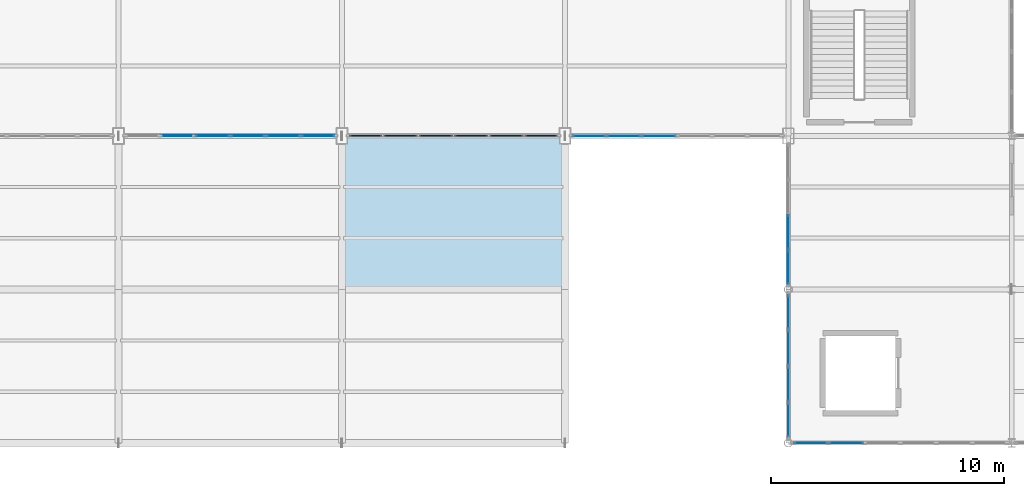
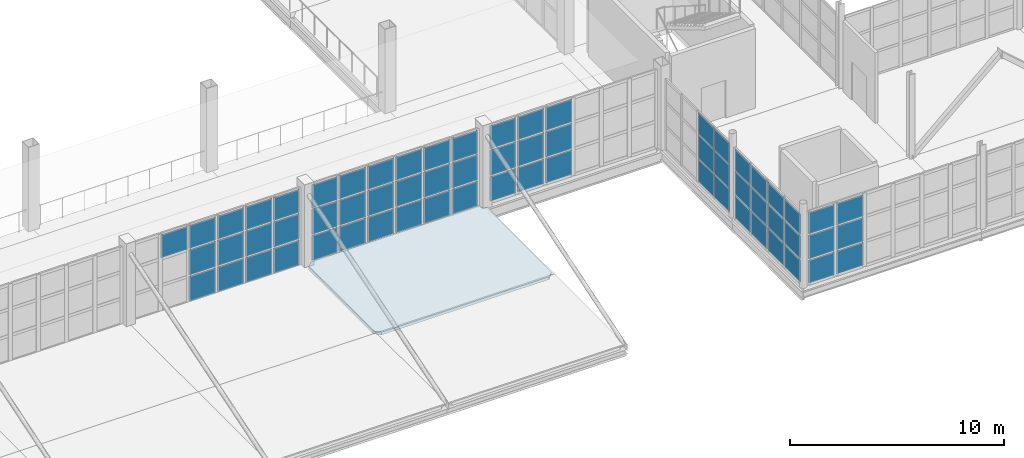
# One storey, part 78 of 120: 64 plates, 1 slab, 6 elements without a shape of their own.
"""IFC4 building model written with IfcOpenShell, lengths in metres."""

from ifc_helpers import new_model, si_unit, direction, frame, origin, origin_2d, place, context, subcontext, project, spatial, polyline, rectangle, outline, extrude, material, layer, layer_set, type_object, element, aggregate, save


model = new_model("IFC4")

# Units and contexts
model_context = context("Model", 3, precision=1e-05, world=origin(), true_north=direction((0.0, 1.0)))
body_context = subcontext(model_context, "Body", "Model", "MODEL_VIEW")
ifc_project = project(units=[si_unit("LENGTHUNIT", "METRE"), si_unit("AREAUNIT", "SQUARE_METRE"), si_unit("VOLUMEUNIT", "CUBIC_METRE"), si_unit("PLANEANGLEUNIT", "RADIAN"), si_unit("MASSUNIT", "GRAM", prefix="KILO")], contexts=[model_context])

# Site, building, storey
site_placement = place(None, origin())
site = spatial("IfcSite", under=ifc_project, at=site_placement, CompositionType="ELEMENT")
building_placement = place(site_placement, origin())
building = spatial("IfcBuilding", under=site, at=building_placement, Name="Zarnetskaya Central Station", CompositionType="ELEMENT")
storey_placement = place(building_placement, frame((0.0, 0.0, 5.39990234375)))
storey = spatial("IfcBuildingStorey", under=building, at=storey_placement, Name="L01", CompositionType="ELEMENT", Elevation=5.39990234375)

# Curtain wall, plates
ifc_material_1 = material(Name="Low-E insulated glass", Category="glass")
ifc_layer_1 = layer(ifc_material_1, 0.159912109375, Name="Low-E insulated glass", Category="glass")
ifc_layer_set_1 = layer_set([ifc_layer_1], Name="Low-E insulated glass")
curtain_wall_type_1 = type_object("IfcCurtainWallType", Name="CW-SYS-06", PredefinedType="USERDEFINED", material=ifc_layer_set_1)
curtain_wall_1_placement = place(storey_placement, origin())
curtain_wall_1 = element("IfcCurtainWall", 1, at=curtain_wall_1_placement, inside=storey, type_object=curtain_wall_type_1, Name="Curtain wall CW-L01-110", ObjectType="CURTAIN WALL", PredefinedType="USERDEFINED")
ifc_layer_2 = layer(ifc_material_1, 0.028076171875, Name="Low-E insulated glass", Category="glass")
ifc_layer_set_2 = layer_set([ifc_layer_2], Name="Low-E insulated glass")
plate_type_1 = type_object("IfcPlateType", Name="CW-PAN-28", PredefinedType="CURTAIN_PANEL", material=ifc_layer_set_2)
plate_1_placement = place(storey_placement, frame((124.800048828125, 0.978271484375, 0.080078125), z_axis=(0.0, 0.0, 1.0), x_axis=(0.0, 1.0, 0.0)))
plate_1 = element("IfcPlate", 2, at=plate_1_placement, type_object=plate_type_1, Name="CW-02 panel 1.1", PredefinedType="CURTAIN_PANEL", context=body_context, shape_type="SweptSolid", body=[
    extrude(rectangle(XDim=1.441162109375, YDim=0.028076171875, at=origin_2d()), origin(), (0.0, 0.0, 1.0), 1.25390625),
])
plate_2_placement = place(storey_placement, frame((124.800048828125, 0.978271484375, 1.4140625), z_axis=(0.0, 0.0, 1.0), x_axis=(0.0, 1.0, 0.0)))
plate_2 = element("IfcPlate", 3, at=plate_2_placement, type_object=plate_type_1, Name="CW-02 panel 1.2", PredefinedType="CURTAIN_PANEL", context=body_context, shape_type="SweptSolid", body=[
    extrude(rectangle(XDim=1.441162109375, YDim=0.028076171875, at=origin_2d()), origin(), (0.0, 0.0, 1.0), 1.29296875),
])
plate_3_placement = place(storey_placement, frame((124.800048828125, 0.978271484375, 2.787109375), z_axis=(0.0, 0.0, 1.0), x_axis=(0.0, 1.0, 0.0)))
plate_3 = element("IfcPlate", 4, at=plate_3_placement, type_object=plate_type_1, Name="CW-02 panel 1.3", PredefinedType="CURTAIN_PANEL", context=body_context, shape_type="SweptSolid", body=[
    extrude(rectangle(XDim=1.441162109375, YDim=0.028076171875, at=origin_2d()), origin(), (0.0, 0.0, 1.0), 1.173095703125),
])
plate_4_placement = place(storey_placement, frame((124.800048828125, 2.51953125, 0.080078125), z_axis=(0.0, 0.0, 1.0), x_axis=(0.0, 1.0, 0.0)))
plate_4 = element("IfcPlate", 5, at=plate_4_placement, type_object=plate_type_1, Name="CW-02 panel 2.1", PredefinedType="CURTAIN_PANEL", context=body_context, shape_type="SweptSolid", body=[
    extrude(rectangle(XDim=1.481201171875, YDim=0.028076171875, at=origin_2d()), origin(), (0.0, 0.0, 1.0), 1.25390625),
])
plate_5_placement = place(storey_placement, frame((124.800048828125, 2.51953125, 1.4140625), z_axis=(0.0, 0.0, 1.0), x_axis=(0.0, 1.0, 0.0)))
plate_5 = element("IfcPlate", 6, at=plate_5_placement, type_object=plate_type_1, Name="CW-02 panel 2.2", PredefinedType="CURTAIN_PANEL", context=body_context, shape_type="SweptSolid", body=[
    extrude(rectangle(XDim=1.481201171875, YDim=0.028076171875, at=origin_2d()), origin(), (0.0, 0.0, 1.0), 1.29296875),
])
plate_6_placement = place(storey_placement, frame((124.800048828125, 2.51953125, 2.787109375), z_axis=(0.0, 0.0, 1.0), x_axis=(0.0, 1.0, 0.0)))
plate_6 = element("IfcPlate", 7, at=plate_6_placement, type_object=plate_type_1, Name="CW-02 panel 2.3", PredefinedType="CURTAIN_PANEL", context=body_context, shape_type="SweptSolid", body=[
    extrude(rectangle(XDim=1.481201171875, YDim=0.028076171875, at=origin_2d()), origin(), (0.0, 0.0, 1.0), 1.173095703125),
])
plate_7_placement = place(storey_placement, frame((124.800048828125, 4.08056640625, 0.080078125), z_axis=(0.0, 0.0, 1.0), x_axis=(0.0, 1.0, 0.0)))
plate_7 = element("IfcPlate", 8, at=plate_7_placement, type_object=plate_type_1, Name="CW-02 panel 3.1", PredefinedType="CURTAIN_PANEL", context=body_context, shape_type="SweptSolid", body=[
    extrude(rectangle(XDim=1.481201171875, YDim=0.028076171875, at=origin_2d()), origin(), (0.0, 0.0, 1.0), 1.25390625),
])
plate_8_placement = place(storey_placement, frame((124.800048828125, 4.08056640625, 1.4140625), z_axis=(0.0, 0.0, 1.0), x_axis=(0.0, 1.0, 0.0)))
plate_8 = element("IfcPlate", 9, at=plate_8_placement, type_object=plate_type_1, Name="CW-02 panel 3.2", PredefinedType="CURTAIN_PANEL", context=body_context, shape_type="SweptSolid", body=[
    extrude(rectangle(XDim=1.481201171875, YDim=0.028076171875, at=origin_2d()), origin(), (0.0, 0.0, 1.0), 1.29296875),
])
plate_9_placement = place(storey_placement, frame((124.800048828125, 4.08056640625, 2.787109375), z_axis=(0.0, 0.0, 1.0), x_axis=(0.0, 1.0, 0.0)))
plate_9 = element("IfcPlate", 10, at=plate_9_placement, type_object=plate_type_1, Name="CW-02 panel 3.3", PredefinedType="CURTAIN_PANEL", context=body_context, shape_type="SweptSolid", body=[
    extrude(rectangle(XDim=1.481201171875, YDim=0.028076171875, at=origin_2d()), origin(), (0.0, 0.0, 1.0), 1.173095703125),
])
plate_10_placement = place(storey_placement, frame((124.800048828125, 5.62158203125, 0.080078125), z_axis=(0.0, 0.0, 1.0), x_axis=(0.0, 1.0, 0.0)))
plate_10 = element("IfcPlate", 11, at=plate_10_placement, type_object=plate_type_1, Name="CW-02 panel 4.1", PredefinedType="CURTAIN_PANEL", context=body_context, shape_type="SweptSolid", body=[
    extrude(rectangle(XDim=1.441162109375, YDim=0.028076171875, at=origin_2d()), origin(), (0.0, 0.0, 1.0), 1.25390625),
])
plate_11_placement = place(storey_placement, frame((124.800048828125, 5.62158203125, 1.4140625), z_axis=(0.0, 0.0, 1.0), x_axis=(0.0, 1.0, 0.0)))
plate_11 = element("IfcPlate", 12, at=plate_11_placement, type_object=plate_type_1, Name="CW-02 panel 4.2", PredefinedType="CURTAIN_PANEL", context=body_context, shape_type="SweptSolid", body=[
    extrude(rectangle(XDim=1.441162109375, YDim=0.028076171875, at=origin_2d()), origin(), (0.0, 0.0, 1.0), 1.29296875),
])
plate_12_placement = place(storey_placement, frame((124.800048828125, 5.62158203125, 2.787109375), z_axis=(0.0, 0.0, 1.0), x_axis=(0.0, 1.0, 0.0)))
plate_12 = element("IfcPlate", 13, at=plate_12_placement, type_object=plate_type_1, Name="CW-02 panel 4.3", PredefinedType="CURTAIN_PANEL", context=body_context, shape_type="SweptSolid", body=[
    extrude(rectangle(XDim=1.441162109375, YDim=0.028076171875, at=origin_2d()), origin(), (0.0, 0.0, 1.0), 1.173095703125),
])
aggregate(curtain_wall_1, [plate_1, plate_2, plate_3, plate_4, plate_5, plate_6, plate_7, plate_8, plate_9, plate_10, plate_11, plate_12])

ifc_layer_3 = layer(ifc_material_1, 0.172119140625, Name="Low-E insulated glass", Category="glass")
ifc_layer_set_3 = layer_set([ifc_layer_3], Name="Low-E insulated glass")
curtain_wall_type_2 = type_object("IfcCurtainWallType", Name="CW-SYS-14", PredefinedType="USERDEFINED", material=ifc_layer_set_3)
curtain_wall_2_placement = place(storey_placement, origin())
curtain_wall_2 = element("IfcCurtainWall", 14, at=curtain_wall_2_placement, inside=storey, type_object=curtain_wall_type_2, Name="Curtain wall CW-L01-086", ObjectType="CURTAIN WALL", PredefinedType="USERDEFINED")
ifc_layer_4 = layer(ifc_material_1, 0.031982421875, Name="Low-E insulated glass", Category="glass")
ifc_layer_set_4 = layer_set([ifc_layer_4], Name="Low-E insulated glass")
plate_type_2 = type_object("IfcPlateType", Name="CW-PAN-32", PredefinedType="CURTAIN_PANEL", material=ifc_layer_set_4)
plate_13_placement = place(storey_placement, frame((119.24169921875, 13.199951171875, 0.080078125), z_axis=(0.0, 0.0, 1.0), x_axis=(-1.0, 0.0, 0.0)))
plate_13 = element("IfcPlate", 15, at=plate_13_placement, type_object=plate_type_2, Name="CW-17 panel 4.1", PredefinedType="CURTAIN_PANEL", context=body_context, shape_type="SweptSolid", body=[
    extrude(rectangle(XDim=1.436767578125, YDim=0.031982421875, at=origin_2d()), origin(), (0.0, 0.0, 1.0), 1.39306640625),
])
plate_14_placement = place(storey_placement, frame((119.24169921875, 13.199951171875, 1.552978515625), z_axis=(0.0, 0.0, 1.0), x_axis=(-1.0, 0.0, 0.0)))
plate_14 = element("IfcPlate", 16, at=plate_14_placement, type_object=plate_type_2, Name="CW-17 panel 4.2", PredefinedType="CURTAIN_PANEL", context=body_context, shape_type="SweptSolid", body=[
    extrude(rectangle(XDim=1.436767578125, YDim=0.031982421875, at=origin_2d()), origin(), (0.0, 0.0, 1.0), 1.43310546875),
])
plate_15_placement = place(storey_placement, frame((119.24169921875, 13.199951171875, 3.06591796875), z_axis=(0.0, 0.0, 1.0), x_axis=(-1.0, 0.0, 0.0)))
plate_15 = element("IfcPlate", 17, at=plate_15_placement, type_object=plate_type_2, Name="CW-17 panel 4.3", PredefinedType="CURTAIN_PANEL", context=body_context, shape_type="SweptSolid", body=[
    extrude(rectangle(XDim=1.436767578125, YDim=0.031982421875, at=origin_2d()), origin(), (0.0, 0.0, 1.0), 1.303955078125),
])
plate_16_placement = place(storey_placement, frame((117.72509765625, 13.199951171875, 0.080078125), z_axis=(0.0, 0.0, 1.0), x_axis=(-1.0, 0.0, 0.0)))
plate_16 = element("IfcPlate", 18, at=plate_16_placement, type_object=plate_type_2, Name="CW-17 panel 5.1", PredefinedType="CURTAIN_PANEL", context=body_context, shape_type="SweptSolid", body=[
    extrude(rectangle(XDim=1.436767578125, YDim=0.031982421875, at=origin_2d()), origin(), (0.0, 0.0, 1.0), 1.39306640625),
])
plate_17_placement = place(storey_placement, frame((117.72509765625, 13.199951171875, 1.552978515625), z_axis=(0.0, 0.0, 1.0), x_axis=(-1.0, 0.0, 0.0)))
plate_17 = element("IfcPlate", 19, at=plate_17_placement, type_object=plate_type_2, Name="CW-17 panel 5.2", PredefinedType="CURTAIN_PANEL", context=body_context, shape_type="SweptSolid", body=[
    extrude(rectangle(XDim=1.436767578125, YDim=0.031982421875, at=origin_2d()), origin(), (0.0, 0.0, 1.0), 1.43310546875),
])
plate_18_placement = place(storey_placement, frame((117.72509765625, 13.199951171875, 3.06591796875), z_axis=(0.0, 0.0, 1.0), x_axis=(-1.0, 0.0, 0.0)))
plate_18 = element("IfcPlate", 20, at=plate_18_placement, type_object=plate_type_2, Name="CW-17 panel 5.3", PredefinedType="CURTAIN_PANEL", context=body_context, shape_type="SweptSolid", body=[
    extrude(rectangle(XDim=1.436767578125, YDim=0.031982421875, at=origin_2d()), origin(), (0.0, 0.0, 1.0), 1.303955078125),
])
plate_19_placement = place(storey_placement, frame((116.228271484375, 13.199951171875, 0.080078125), z_axis=(0.0, 0.0, 1.0), x_axis=(-1.0, 0.0, 0.0)))
plate_19 = element("IfcPlate", 21, at=plate_19_placement, type_object=plate_type_2, Name="CW-17 panel 6.1", PredefinedType="CURTAIN_PANEL", context=body_context, shape_type="SweptSolid", body=[
    extrude(rectangle(XDim=1.396728515625, YDim=0.031982421875, at=origin_2d()), origin(), (0.0, 0.0, 1.0), 1.39306640625),
])
plate_20_placement = place(storey_placement, frame((116.228271484375, 13.199951171875, 1.552978515625), z_axis=(0.0, 0.0, 1.0), x_axis=(-1.0, 0.0, 0.0)))
plate_20 = element("IfcPlate", 22, at=plate_20_placement, type_object=plate_type_2, Name="CW-17 panel 6.2", PredefinedType="CURTAIN_PANEL", context=body_context, shape_type="SweptSolid", body=[
    extrude(rectangle(XDim=1.396728515625, YDim=0.031982421875, at=origin_2d()), origin(), (0.0, 0.0, 1.0), 1.43310546875),
])
plate_21_placement = place(storey_placement, frame((116.228271484375, 13.199951171875, 3.06591796875), z_axis=(0.0, 0.0, 1.0), x_axis=(-1.0, 0.0, 0.0)))
plate_21 = element("IfcPlate", 23, at=plate_21_placement, type_object=plate_type_2, Name="CW-17 panel 6.3", PredefinedType="CURTAIN_PANEL", context=body_context, shape_type="SweptSolid", body=[
    extrude(rectangle(XDim=1.396728515625, YDim=0.031982421875, at=origin_2d()), origin(), (0.0, 0.0, 1.0), 1.303955078125),
])
aggregate(curtain_wall_2, [plate_13, plate_14, plate_15, plate_16, plate_17, plate_18, plate_19, plate_20, plate_21])

curtain_wall_3_placement = place(storey_placement, origin())
curtain_wall_3 = element("IfcCurtainWall", 24, at=curtain_wall_3_placement, inside=storey, type_object=curtain_wall_type_1, Name="Curtain wall CW-L01-111", ObjectType="CURTAIN WALL", PredefinedType="USERDEFINED")
plate_22_placement = place(storey_placement, frame((124.800048828125, 7.554443359375, 0.070068359375), z_axis=(0.0, 0.0, 1.0), x_axis=(0.0, 1.0, 0.0)))
plate_22 = element("IfcPlate", 25, at=plate_22_placement, type_object=plate_type_2, Name="CW-02 panel 1.1", PredefinedType="CURTAIN_PANEL", context=body_context, shape_type="SweptSolid", body=[
    extrude(rectangle(XDim=1.4130859375, YDim=0.031982421875, at=origin_2d()), origin(), (0.0, 0.0, 1.0), 1.26904296875),
])
plate_23_placement = place(storey_placement, frame((124.800048828125, 7.554443359375, 1.4091796875), z_axis=(0.0, 0.0, 1.0), x_axis=(0.0, 1.0, 0.0)))
plate_23 = element("IfcPlate", 26, at=plate_23_placement, type_object=plate_type_2, Name="CW-02 panel 1.2", PredefinedType="CURTAIN_PANEL", context=body_context, shape_type="SweptSolid", body=[
    extrude(rectangle(XDim=1.4130859375, YDim=0.031982421875, at=origin_2d()), origin(), (0.0, 0.0, 1.0), 1.302978515625),
])
plate_24_placement = place(storey_placement, frame((124.800048828125, 7.554443359375, 2.781982421875), z_axis=(0.0, 0.0, 1.0), x_axis=(0.0, 1.0, 0.0)))
plate_24 = element("IfcPlate", 27, at=plate_24_placement, type_object=plate_type_2, Name="CW-02 panel 1.3", PredefinedType="CURTAIN_PANEL", context=body_context, shape_type="SweptSolid", body=[
    extrude(rectangle(XDim=1.4130859375, YDim=0.031982421875, at=origin_2d()), origin(), (0.0, 0.0, 1.0), 1.18798828125),
])
plate_25_placement = place(storey_placement, frame((124.800048828125, 9.054931640625, 0.070068359375), z_axis=(0.0, 0.0, 1.0), x_axis=(0.0, 1.0, 0.0)))
plate_25 = element("IfcPlate", 28, at=plate_25_placement, type_object=plate_type_2, Name="CW-02 panel 2.1", PredefinedType="CURTAIN_PANEL", context=body_context, shape_type="SweptSolid", body=[
    extrude(rectangle(XDim=1.447998046875, YDim=0.031982421875, at=origin_2d()), origin(), (0.0, 0.0, 1.0), 1.26904296875),
])
plate_26_placement = place(storey_placement, frame((124.800048828125, 9.054931640625, 1.4091796875), z_axis=(0.0, 0.0, 1.0), x_axis=(0.0, 1.0, 0.0)))
plate_26 = element("IfcPlate", 29, at=plate_26_placement, type_object=plate_type_2, Name="CW-02 panel 2.2", PredefinedType="CURTAIN_PANEL", context=body_context, shape_type="SweptSolid", body=[
    extrude(rectangle(XDim=1.447998046875, YDim=0.031982421875, at=origin_2d()), origin(), (0.0, 0.0, 1.0), 1.302978515625),
])
plate_27_placement = place(storey_placement, frame((124.800048828125, 9.054931640625, 2.781982421875), z_axis=(0.0, 0.0, 1.0), x_axis=(0.0, 1.0, 0.0)))
plate_27 = element("IfcPlate", 30, at=plate_27_placement, type_object=plate_type_2, Name="CW-02 panel 2.3", PredefinedType="CURTAIN_PANEL", context=body_context, shape_type="SweptSolid", body=[
    extrude(rectangle(XDim=1.447998046875, YDim=0.031982421875, at=origin_2d()), origin(), (0.0, 0.0, 1.0), 1.18798828125),
])
aggregate(curtain_wall_3, [plate_22, plate_23, plate_24, plate_25, plate_26, plate_27])

curtain_wall_4_placement = place(storey_placement, origin())
curtain_wall_4 = element("IfcCurtainWall", 31, at=curtain_wall_4_placement, inside=storey, type_object=curtain_wall_type_1, Name="Curtain wall CW-L01-126", ObjectType="CURTAIN WALL", PredefinedType="USERDEFINED")
plate_28_placement = place(storey_placement, frame((127.2958984375, 0.0, 0.080078125), z_axis=(0.0, 0.0, 1.0), x_axis=(-1.0, 0.0, 0.0)))
plate_28 = element("IfcPlate", 32, at=plate_28_placement, type_object=plate_type_2, Name="CW-02 panel 5.1", PredefinedType="CURTAIN_PANEL", context=body_context, shape_type="SweptSolid", body=[
    extrude(rectangle(XDim=1.46533203125, YDim=0.031982421875, at=origin_2d()), origin(), (0.0, 0.0, 1.0), 1.301025390625),
])
plate_29_placement = place(storey_placement, frame((127.2958984375, 0.0, 1.4609375), z_axis=(0.0, 0.0, 1.0), x_axis=(-1.0, 0.0, 0.0)))
plate_29 = element("IfcPlate", 33, at=plate_29_placement, type_object=plate_type_2, Name="CW-02 panel 5.2", PredefinedType="CURTAIN_PANEL", context=body_context, shape_type="SweptSolid", body=[
    extrude(rectangle(XDim=1.46533203125, YDim=0.031982421875, at=origin_2d()), origin(), (0.0, 0.0, 1.0), 1.341064453125),
])
plate_30_placement = place(storey_placement, frame((127.2958984375, 0.0, 2.88232421875), z_axis=(0.0, 0.0, 1.0), x_axis=(-1.0, 0.0, 0.0)))
plate_30 = element("IfcPlate", 34, at=plate_30_placement, type_object=plate_type_2, Name="CW-02 panel 5.3", PredefinedType="CURTAIN_PANEL", context=body_context, shape_type="SweptSolid", body=[
    extrude(rectangle(XDim=1.46533203125, YDim=0.031982421875, at=origin_2d()), origin(), (0.0, 0.0, 1.0), 1.218017578125),
])
plate_31_placement = place(storey_placement, frame((125.7705078125, 0.0, 0.080078125), z_axis=(0.0, 0.0, 1.0), x_axis=(-1.0, 0.0, 0.0)))
plate_31 = element("IfcPlate", 35, at=plate_31_placement, type_object=plate_type_2, Name="CW-02 panel 6.1", PredefinedType="CURTAIN_PANEL", context=body_context, shape_type="SweptSolid", body=[
    extrude(rectangle(XDim=1.42529296875, YDim=0.031982421875, at=origin_2d()), origin(), (0.0, 0.0, 1.0), 1.301025390625),
])
plate_32_placement = place(storey_placement, frame((125.7705078125, 0.0, 1.4609375), z_axis=(0.0, 0.0, 1.0), x_axis=(-1.0, 0.0, 0.0)))
plate_32 = element("IfcPlate", 36, at=plate_32_placement, type_object=plate_type_2, Name="CW-02 panel 6.2", PredefinedType="CURTAIN_PANEL", context=body_context, shape_type="SweptSolid", body=[
    extrude(rectangle(XDim=1.42529296875, YDim=0.031982421875, at=origin_2d()), origin(), (0.0, 0.0, 1.0), 1.341064453125),
])
plate_33_placement = place(storey_placement, frame((125.7705078125, 0.0, 2.88232421875), z_axis=(0.0, 0.0, 1.0), x_axis=(-1.0, 0.0, 0.0)))
plate_33 = element("IfcPlate", 37, at=plate_33_placement, type_object=plate_type_2, Name="CW-02 panel 6.3", PredefinedType="CURTAIN_PANEL", context=body_context, shape_type="SweptSolid", body=[
    extrude(rectangle(XDim=1.42529296875, YDim=0.031982421875, at=origin_2d()), origin(), (0.0, 0.0, 1.0), 1.218017578125),
])
aggregate(curtain_wall_4, [plate_28, plate_29, plate_30, plate_31, plate_32, plate_33])

ifc_layer_5 = layer(ifc_material_1, 0.1640625, Name="Low-E insulated glass", Category="glass")
ifc_layer_set_5 = layer_set([ifc_layer_5], Name="Low-E insulated glass")
curtain_wall_type_3 = type_object("IfcCurtainWallType", Name="CW-SYS-12", PredefinedType="USERDEFINED", material=ifc_layer_set_5)
curtain_wall_5_placement = place(storey_placement, origin())
curtain_wall_5 = element("IfcCurtainWall", 38, at=curtain_wall_5_placement, inside=storey, type_object=curtain_wall_type_3, Name="Curtain wall CW-L01-082", ObjectType="CURTAIN WALL", PredefinedType="USERDEFINED")
ifc_layer_6 = layer(ifc_material_1, 0.035888671875, Name="Low-E insulated glass", Category="glass")
ifc_layer_set_6 = layer_set([ifc_layer_6], Name="Low-E insulated glass")
plate_type_3 = type_object("IfcPlateType", Name="CW-PAN-36", PredefinedType="CURTAIN_PANEL", material=ifc_layer_set_6)
plate_34_placement = place(storey_placement, frame((104.57177734375, 13.199951171875, 0.080078125), z_axis=(0.0, 0.0, 1.0), x_axis=(-1.0, 0.0, 0.0)))
plate_34 = element("IfcPlate", 39, at=plate_34_placement, type_object=plate_type_3, Name="CW-18 panel 1.1", PredefinedType="CURTAIN_PANEL", context=body_context, shape_type="SweptSolid", body=[
    extrude(rectangle(XDim=1.396728515625, YDim=0.035888671875, at=origin_2d()), origin(), (0.0, 0.0, 1.0), 1.39306640625),
])
plate_35_placement = place(storey_placement, frame((104.57177734375, 13.199951171875, 1.552978515625), z_axis=(0.0, 0.0, 1.0), x_axis=(-1.0, 0.0, 0.0)))
plate_35 = element("IfcPlate", 40, at=plate_35_placement, type_object=plate_type_3, Name="CW-18 panel 1.2", PredefinedType="CURTAIN_PANEL", context=body_context, shape_type="SweptSolid", body=[
    extrude(rectangle(XDim=1.396728515625, YDim=0.035888671875, at=origin_2d()), origin(), (0.0, 0.0, 1.0), 1.43310546875),
])
plate_36_placement = place(storey_placement, frame((104.57177734375, 13.199951171875, 3.06591796875), z_axis=(0.0, 0.0, 1.0), x_axis=(-1.0, 0.0, 0.0)))
plate_36 = element("IfcPlate", 41, at=plate_36_placement, type_object=plate_type_3, Name="CW-18 panel 1.3", PredefinedType="CURTAIN_PANEL", context=body_context, shape_type="SweptSolid", body=[
    extrude(rectangle(XDim=1.396728515625, YDim=0.035888671875, at=origin_2d()), origin(), (0.0, 0.0, 1.0), 1.303955078125),
])
plate_37_placement = place(storey_placement, frame((103.074951171875, 13.199951171875, 0.080078125), z_axis=(0.0, 0.0, 1.0), x_axis=(-1.0, 0.0, 0.0)))
plate_37 = element("IfcPlate", 42, at=plate_37_placement, type_object=plate_type_3, Name="CW-18 panel 2.1", PredefinedType="CURTAIN_PANEL", context=body_context, shape_type="SweptSolid", body=[
    extrude(rectangle(XDim=1.436767578125, YDim=0.035888671875, at=origin_2d()), origin(), (0.0, 0.0, 1.0), 1.39306640625),
])
plate_38_placement = place(storey_placement, frame((103.074951171875, 13.199951171875, 1.552978515625), z_axis=(0.0, 0.0, 1.0), x_axis=(-1.0, 0.0, 0.0)))
plate_38 = element("IfcPlate", 43, at=plate_38_placement, type_object=plate_type_3, Name="CW-18 panel 2.2", PredefinedType="CURTAIN_PANEL", context=body_context, shape_type="SweptSolid", body=[
    extrude(rectangle(XDim=1.436767578125, YDim=0.035888671875, at=origin_2d()), origin(), (0.0, 0.0, 1.0), 1.43310546875),
])
plate_39_placement = place(storey_placement, frame((103.074951171875, 13.199951171875, 3.06591796875), z_axis=(0.0, 0.0, 1.0), x_axis=(-1.0, 0.0, 0.0)))
plate_39 = element("IfcPlate", 44, at=plate_39_placement, type_object=plate_type_3, Name="CW-18 panel 2.3", PredefinedType="CURTAIN_PANEL", context=body_context, shape_type="SweptSolid", body=[
    extrude(rectangle(XDim=1.436767578125, YDim=0.035888671875, at=origin_2d()), origin(), (0.0, 0.0, 1.0), 1.303955078125),
])
plate_40_placement = place(storey_placement, frame((101.558349609375, 13.199951171875, 0.080078125), z_axis=(0.0, 0.0, 1.0), x_axis=(-1.0, 0.0, 0.0)))
plate_40 = element("IfcPlate", 45, at=plate_40_placement, type_object=plate_type_3, Name="CW-18 panel 3.1", PredefinedType="CURTAIN_PANEL", context=body_context, shape_type="SweptSolid", body=[
    extrude(rectangle(XDim=1.436767578125, YDim=0.035888671875, at=origin_2d()), origin(), (0.0, 0.0, 1.0), 1.39306640625),
])
plate_41_placement = place(storey_placement, frame((101.558349609375, 13.199951171875, 1.552978515625), z_axis=(0.0, 0.0, 1.0), x_axis=(-1.0, 0.0, 0.0)))
plate_41 = element("IfcPlate", 46, at=plate_41_placement, type_object=plate_type_3, Name="CW-18 panel 3.2", PredefinedType="CURTAIN_PANEL", context=body_context, shape_type="SweptSolid", body=[
    extrude(rectangle(XDim=1.436767578125, YDim=0.035888671875, at=origin_2d()), origin(), (0.0, 0.0, 1.0), 1.43310546875),
])
plate_42_placement = place(storey_placement, frame((101.558349609375, 13.199951171875, 3.06591796875), z_axis=(0.0, 0.0, 1.0), x_axis=(-1.0, 0.0, 0.0)))
plate_42 = element("IfcPlate", 47, at=plate_42_placement, type_object=plate_type_3, Name="CW-18 panel 3.3", PredefinedType="CURTAIN_PANEL", context=body_context, shape_type="SweptSolid", body=[
    extrude(rectangle(XDim=1.436767578125, YDim=0.035888671875, at=origin_2d()), origin(), (0.0, 0.0, 1.0), 1.303955078125),
])
plate_43_placement = place(storey_placement, frame((100.041748046875, 13.199951171875, 0.080078125), z_axis=(0.0, 0.0, 1.0), x_axis=(-1.0, 0.0, 0.0)))
plate_43 = element("IfcPlate", 48, at=plate_43_placement, type_object=plate_type_3, Name="CW-18 panel 4.1", PredefinedType="CURTAIN_PANEL", context=body_context, shape_type="SweptSolid", body=[
    extrude(rectangle(XDim=1.436767578125, YDim=0.035888671875, at=origin_2d()), origin(), (0.0, 0.0, 1.0), 1.39306640625),
])
plate_44_placement = place(storey_placement, frame((100.041748046875, 13.199951171875, 1.552978515625), z_axis=(0.0, 0.0, 1.0), x_axis=(-1.0, 0.0, 0.0)))
plate_44 = element("IfcPlate", 49, at=plate_44_placement, type_object=plate_type_3, Name="CW-18 panel 4.2", PredefinedType="CURTAIN_PANEL", context=body_context, shape_type="SweptSolid", body=[
    extrude(rectangle(XDim=1.436767578125, YDim=0.035888671875, at=origin_2d()), origin(), (0.0, 0.0, 1.0), 1.43310546875),
])
plate_45_placement = place(storey_placement, frame((100.041748046875, 13.199951171875, 3.06591796875), z_axis=(0.0, 0.0, 1.0), x_axis=(-1.0, 0.0, 0.0)))
plate_45 = element("IfcPlate", 50, at=plate_45_placement, type_object=plate_type_3, Name="CW-18 panel 4.3", PredefinedType="CURTAIN_PANEL", context=body_context, shape_type="SweptSolid", body=[
    extrude(rectangle(XDim=1.436767578125, YDim=0.035888671875, at=origin_2d()), origin(), (0.0, 0.0, 1.0), 1.303955078125),
])
plate_46_placement = place(storey_placement, frame((98.52490234375, 13.199951171875, 3.06591796875), z_axis=(0.0, 0.0, 1.0), x_axis=(-1.0, 0.0, 0.0)))
plate_46 = element("IfcPlate", 51, at=plate_46_placement, type_object=plate_type_3, Name="CW-18 panel 5.3", PredefinedType="CURTAIN_PANEL", context=body_context, shape_type="SweptSolid", body=[
    extrude(rectangle(XDim=1.436767578125, YDim=0.035888671875, at=origin_2d()), origin(), (0.0, 0.0, 1.0), 1.303955078125),
])
aggregate(curtain_wall_5, [plate_34, plate_35, plate_36, plate_37, plate_38, plate_39, plate_40, plate_41, plate_42, plate_43, plate_44, plate_45, plate_46])

ifc_layer_7 = layer(ifc_material_1, 0.16796875, Name="Low-E insulated glass", Category="glass")
ifc_layer_set_7 = layer_set([ifc_layer_7], Name="Low-E insulated glass")
curtain_wall_type_4 = type_object("IfcCurtainWallType", Name="CW-SYS-13", PredefinedType="USERDEFINED", material=ifc_layer_set_7)
curtain_wall_6_placement = place(storey_placement, origin())
curtain_wall_6 = element("IfcCurtainWall", 52, at=curtain_wall_6_placement, inside=storey, type_object=curtain_wall_type_4, Name="Curtain wall CW-L01-084", ObjectType="CURTAIN WALL", PredefinedType="USERDEFINED")
ifc_layer_8 = layer(ifc_material_1, 0.0439453125, Name="Low-E insulated glass", Category="glass")
ifc_layer_set_8 = layer_set([ifc_layer_8], Name="Low-E insulated glass")
plate_type_4 = type_object("IfcPlateType", Name="CW-PAN-44", PredefinedType="CURTAIN_PANEL", material=ifc_layer_set_8)
plate_47_placement = place(storey_placement, frame((114.171630859375, 13.199951171875, 0.080078125), z_axis=(0.0, 0.0, 1.0), x_axis=(-1.0, 0.0, 0.0)))
plate_47 = element("IfcPlate", 53, at=plate_47_placement, type_object=plate_type_4, Name="CW-04 panel 1.1", PredefinedType="CURTAIN_PANEL", context=body_context, shape_type="SweptSolid", body=[
    extrude(rectangle(XDim=1.396728515625, YDim=0.0439453125, at=origin_2d()), origin(), (0.0, 0.0, 1.0), 1.39306640625),
])
plate_48_placement = place(storey_placement, frame((114.171630859375, 13.199951171875, 1.552978515625), z_axis=(0.0, 0.0, 1.0), x_axis=(-1.0, 0.0, 0.0)))
plate_48 = element("IfcPlate", 54, at=plate_48_placement, type_object=plate_type_4, Name="CW-04 panel 1.2", PredefinedType="CURTAIN_PANEL", context=body_context, shape_type="SweptSolid", body=[
    extrude(rectangle(XDim=1.396728515625, YDim=0.0439453125, at=origin_2d()), origin(), (0.0, 0.0, 1.0), 1.43310546875),
])
plate_49_placement = place(storey_placement, frame((114.171630859375, 13.199951171875, 3.06591796875), z_axis=(0.0, 0.0, 1.0), x_axis=(-1.0, 0.0, 0.0)))
plate_49 = element("IfcPlate", 55, at=plate_49_placement, type_object=plate_type_4, Name="CW-04 panel 1.3", PredefinedType="CURTAIN_PANEL", context=body_context, shape_type="SweptSolid", body=[
    extrude(rectangle(XDim=1.396728515625, YDim=0.0439453125, at=origin_2d()), origin(), (0.0, 0.0, 1.0), 1.303955078125),
])
plate_50_placement = place(storey_placement, frame((112.675048828125, 13.199951171875, 0.080078125), z_axis=(0.0, 0.0, 1.0), x_axis=(-1.0, 0.0, 0.0)))
plate_50 = element("IfcPlate", 56, at=plate_50_placement, type_object=plate_type_4, Name="CW-04 panel 2.1", PredefinedType="CURTAIN_PANEL", context=body_context, shape_type="SweptSolid", body=[
    extrude(rectangle(XDim=1.436767578125, YDim=0.0439453125, at=origin_2d()), origin(), (0.0, 0.0, 1.0), 1.39306640625),
])
plate_51_placement = place(storey_placement, frame((112.675048828125, 13.199951171875, 1.552978515625), z_axis=(0.0, 0.0, 1.0), x_axis=(-1.0, 0.0, 0.0)))
plate_51 = element("IfcPlate", 57, at=plate_51_placement, type_object=plate_type_4, Name="CW-04 panel 2.2", PredefinedType="CURTAIN_PANEL", context=body_context, shape_type="SweptSolid", body=[
    extrude(rectangle(XDim=1.436767578125, YDim=0.0439453125, at=origin_2d()), origin(), (0.0, 0.0, 1.0), 1.43310546875),
])
plate_52_placement = place(storey_placement, frame((112.675048828125, 13.199951171875, 3.06591796875), z_axis=(0.0, 0.0, 1.0), x_axis=(-1.0, 0.0, 0.0)))
plate_52 = element("IfcPlate", 58, at=plate_52_placement, type_object=plate_type_4, Name="CW-04 panel 2.3", PredefinedType="CURTAIN_PANEL", context=body_context, shape_type="SweptSolid", body=[
    extrude(rectangle(XDim=1.436767578125, YDim=0.0439453125, at=origin_2d()), origin(), (0.0, 0.0, 1.0), 1.303955078125),
])
plate_53_placement = place(storey_placement, frame((111.158447265625, 13.199951171875, 0.080078125), z_axis=(0.0, 0.0, 1.0), x_axis=(-1.0, 0.0, 0.0)))
plate_53 = element("IfcPlate", 59, at=plate_53_placement, type_object=plate_type_4, Name="CW-04 panel 3.1", PredefinedType="CURTAIN_PANEL", context=body_context, shape_type="SweptSolid", body=[
    extrude(rectangle(XDim=1.436767578125, YDim=0.0439453125, at=origin_2d()), origin(), (0.0, 0.0, 1.0), 1.39306640625),
])
plate_54_placement = place(storey_placement, frame((111.158447265625, 13.199951171875, 1.552978515625), z_axis=(0.0, 0.0, 1.0), x_axis=(-1.0, 0.0, 0.0)))
plate_54 = element("IfcPlate", 60, at=plate_54_placement, type_object=plate_type_4, Name="CW-04 panel 3.2", PredefinedType="CURTAIN_PANEL", context=body_context, shape_type="SweptSolid", body=[
    extrude(rectangle(XDim=1.436767578125, YDim=0.0439453125, at=origin_2d()), origin(), (0.0, 0.0, 1.0), 1.43310546875),
])
plate_55_placement = place(storey_placement, frame((111.158447265625, 13.199951171875, 3.06591796875), z_axis=(0.0, 0.0, 1.0), x_axis=(-1.0, 0.0, 0.0)))
plate_55 = element("IfcPlate", 61, at=plate_55_placement, type_object=plate_type_4, Name="CW-04 panel 3.3", PredefinedType="CURTAIN_PANEL", context=body_context, shape_type="SweptSolid", body=[
    extrude(rectangle(XDim=1.436767578125, YDim=0.0439453125, at=origin_2d()), origin(), (0.0, 0.0, 1.0), 1.303955078125),
])
plate_56_placement = place(storey_placement, frame((109.6416015625, 13.199951171875, 0.080078125), z_axis=(0.0, 0.0, 1.0), x_axis=(-1.0, 0.0, 0.0)))
plate_56 = element("IfcPlate", 62, at=plate_56_placement, type_object=plate_type_4, Name="CW-04 panel 4.1", PredefinedType="CURTAIN_PANEL", context=body_context, shape_type="SweptSolid", body=[
    extrude(rectangle(XDim=1.436767578125, YDim=0.0439453125, at=origin_2d()), origin(), (0.0, 0.0, 1.0), 1.39306640625),
])
plate_57_placement = place(storey_placement, frame((109.6416015625, 13.199951171875, 1.552978515625), z_axis=(0.0, 0.0, 1.0), x_axis=(-1.0, 0.0, 0.0)))
plate_57 = element("IfcPlate", 63, at=plate_57_placement, type_object=plate_type_4, Name="CW-04 panel 4.2", PredefinedType="CURTAIN_PANEL", context=body_context, shape_type="SweptSolid", body=[
    extrude(rectangle(XDim=1.436767578125, YDim=0.0439453125, at=origin_2d()), origin(), (0.0, 0.0, 1.0), 1.43310546875),
])
plate_58_placement = place(storey_placement, frame((109.6416015625, 13.199951171875, 3.06591796875), z_axis=(0.0, 0.0, 1.0), x_axis=(-1.0, 0.0, 0.0)))
plate_58 = element("IfcPlate", 64, at=plate_58_placement, type_object=plate_type_4, Name="CW-04 panel 4.3", PredefinedType="CURTAIN_PANEL", context=body_context, shape_type="SweptSolid", body=[
    extrude(rectangle(XDim=1.436767578125, YDim=0.0439453125, at=origin_2d()), origin(), (0.0, 0.0, 1.0), 1.303955078125),
])
plate_59_placement = place(storey_placement, frame((108.125, 13.199951171875, 0.080078125), z_axis=(0.0, 0.0, 1.0), x_axis=(-1.0, 0.0, 0.0)))
plate_59 = element("IfcPlate", 65, at=plate_59_placement, type_object=plate_type_4, Name="CW-04 panel 5.1", PredefinedType="CURTAIN_PANEL", context=body_context, shape_type="SweptSolid", body=[
    extrude(rectangle(XDim=1.436767578125, YDim=0.0439453125, at=origin_2d()), origin(), (0.0, 0.0, 1.0), 1.39306640625),
])
plate_60_placement = place(storey_placement, frame((108.125, 13.199951171875, 1.552978515625), z_axis=(0.0, 0.0, 1.0), x_axis=(-1.0, 0.0, 0.0)))
plate_60 = element("IfcPlate", 66, at=plate_60_placement, type_object=plate_type_4, Name="CW-04 panel 5.2", PredefinedType="CURTAIN_PANEL", context=body_context, shape_type="SweptSolid", body=[
    extrude(rectangle(XDim=1.436767578125, YDim=0.0439453125, at=origin_2d()), origin(), (0.0, 0.0, 1.0), 1.43310546875),
])
plate_61_placement = place(storey_placement, frame((108.125, 13.199951171875, 3.06591796875), z_axis=(0.0, 0.0, 1.0), x_axis=(-1.0, 0.0, 0.0)))
plate_61 = element("IfcPlate", 67, at=plate_61_placement, type_object=plate_type_4, Name="CW-04 panel 5.3", PredefinedType="CURTAIN_PANEL", context=body_context, shape_type="SweptSolid", body=[
    extrude(rectangle(XDim=1.436767578125, YDim=0.0439453125, at=origin_2d()), origin(), (0.0, 0.0, 1.0), 1.303955078125),
])
plate_62_placement = place(storey_placement, frame((106.62841796875, 13.199951171875, 0.080078125), z_axis=(0.0, 0.0, 1.0), x_axis=(-1.0, 0.0, 0.0)))
plate_62 = element("IfcPlate", 68, at=plate_62_placement, type_object=plate_type_4, Name="CW-04 panel 6.1", PredefinedType="CURTAIN_PANEL", context=body_context, shape_type="SweptSolid", body=[
    extrude(rectangle(XDim=1.396728515625, YDim=0.0439453125, at=origin_2d()), origin(), (0.0, 0.0, 1.0), 1.39306640625),
])
plate_63_placement = place(storey_placement, frame((106.62841796875, 13.199951171875, 1.552978515625), z_axis=(0.0, 0.0, 1.0), x_axis=(-1.0, 0.0, 0.0)))
plate_63 = element("IfcPlate", 69, at=plate_63_placement, type_object=plate_type_4, Name="CW-04 panel 6.2", PredefinedType="CURTAIN_PANEL", context=body_context, shape_type="SweptSolid", body=[
    extrude(rectangle(XDim=1.396728515625, YDim=0.0439453125, at=origin_2d()), origin(), (0.0, 0.0, 1.0), 1.43310546875),
])
plate_64_placement = place(storey_placement, frame((106.62841796875, 13.199951171875, 3.06591796875), z_axis=(0.0, 0.0, 1.0), x_axis=(-1.0, 0.0, 0.0)))
plate_64 = element("IfcPlate", 70, at=plate_64_placement, type_object=plate_type_4, Name="CW-04 panel 6.3", PredefinedType="CURTAIN_PANEL", context=body_context, shape_type="SweptSolid", body=[
    extrude(rectangle(XDim=1.396728515625, YDim=0.0439453125, at=origin_2d()), origin(), (0.0, 0.0, 1.0), 1.303955078125),
])
aggregate(curtain_wall_6, [plate_47, plate_48, plate_49, plate_50, plate_51, plate_52, plate_53, plate_54, plate_55, plate_56, plate_57, plate_58, plate_59, plate_60, plate_61, plate_62, plate_63, plate_64])

# Slab
ifc_material_2 = material(Name="Concrete C30/37", Category="concrete")
ifc_layer_9 = layer(ifc_material_2, 0.159912109375, Name="Concrete C30/37", Category="concrete")
ifc_layer_set_9 = layer_set([ifc_layer_9], Name="Concrete C30/37")
slab_type = type_object("IfcSlabType", Name="ROOF-CANOPY-160", PredefinedType="ROOF", material=ifc_layer_set_9)
slab_placement = place(storey_placement, frame((0.0, 0.0, -0.159912109375)))
element("IfcSlab", 71, at=slab_placement, inside=storey, type_object=slab_type, Name="Forecourt canopy deck M-N/2-3", PredefinedType="ROOF", context=body_context, shape_type="SweptSolid", body=[
    extrude(outline(polyline([(105.8798828125, 6.60009765625), (114.919921875, 6.60009765625), (115.199951171875, 6.8798828125), (115.199951171875, 12.919921875), (114.919921875, 13.199951171875), (105.8798828125, 13.199951171875), (105.60009765625, 12.919921875), (105.60009765625, 6.8798828125), (105.8798828125, 6.60009765625)])), origin(), (0.0, 0.0, 1.0), 0.159912109375),
])

save(model, "model.ifc")
